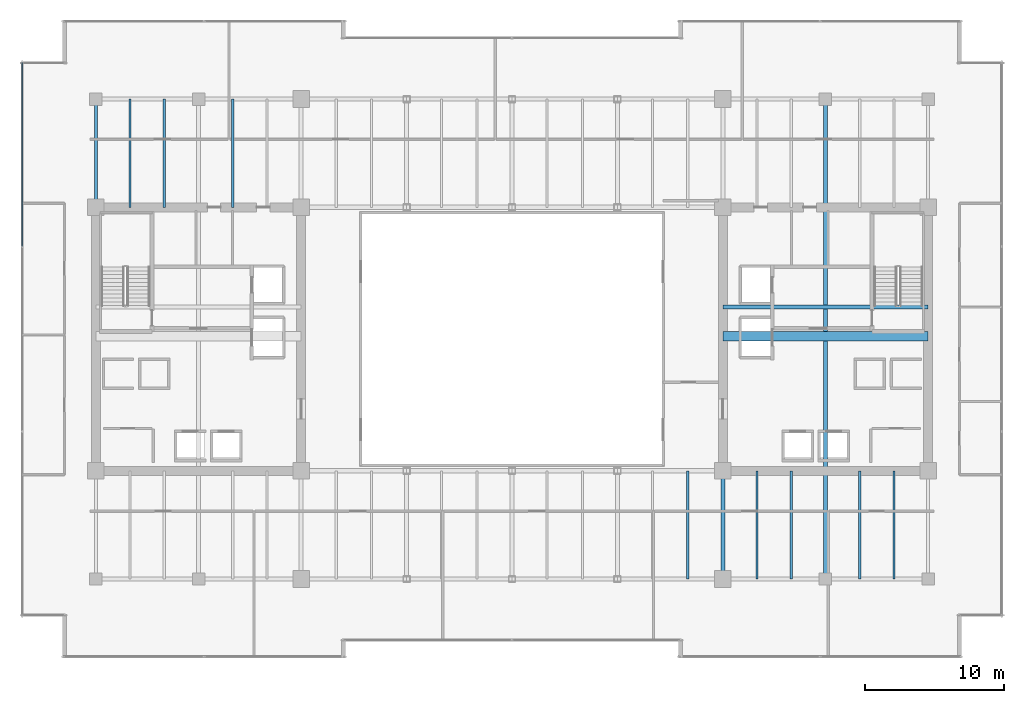
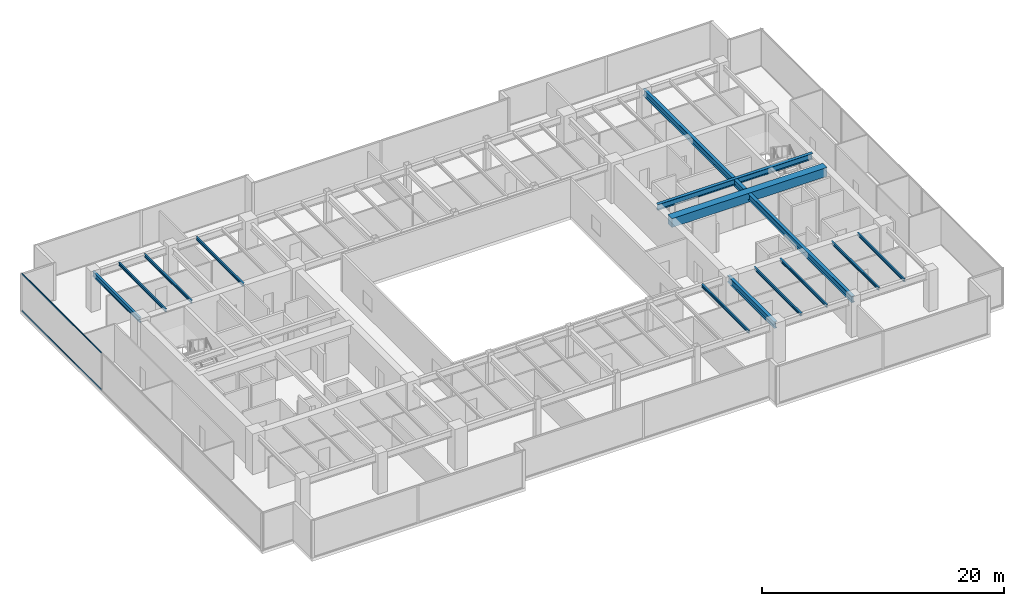
# One storey, part 13 of 30: 13 beams, 2 members, 1 element without a shape of its own.
"""IFC4 building model written with IfcOpenShell, lengths in metres."""

from ifc_helpers import new_model, si_unit, direction, frame, origin, origin_2d, place, context, subcontext, project, spatial, rectangle, hollow_rectangle, i_section, extrude, source, transform, mapped, material, layer, layer_set, material_profile, profile_set, type_object, type_shapes, element, aggregate, save


model = new_model("IFC4")

# Units and contexts
model_context = context("Model", 3, precision=1e-05, world=origin(), true_north=direction((0.0, 1.0)))
body_context = subcontext(model_context, "Body", "Model", "MODEL_VIEW")
ifc_project = project(units=[si_unit("LENGTHUNIT", "METRE"), si_unit("AREAUNIT", "SQUARE_METRE"), si_unit("VOLUMEUNIT", "CUBIC_METRE"), si_unit("PLANEANGLEUNIT", "RADIAN"), si_unit("MASSUNIT", "GRAM", prefix="KILO")], contexts=[model_context])

# Site, building, storey
site_placement = place(None, origin())
site = spatial("IfcSite", under=ifc_project, at=site_placement, CompositionType="ELEMENT")
building_placement = place(site_placement, origin())
building = spatial("IfcBuilding", under=site, at=building_placement, Name="Haelvirn Gate Laboratories", CompositionType="ELEMENT")
storey_placement = place(building_placement, frame((0.0, 0.0, 142.0)))
storey = spatial("IfcBuildingStorey", under=building, at=storey_placement, Name="L34", CompositionType="ELEMENT", Elevation=142.0)

# Beams
ifc_material_1 = material(Name="Concrete C60/75", Category="concrete")
ifc_material_profile_1 = material_profile(ifc_material_1, rectangle(XDim=0.699951171875, YDim=0.89990234375, at=origin_2d()), Name="RCB-700x900")
ifc_profile_set_1 = profile_set([ifc_material_profile_1], Name="Concrete C60/75")
beam_type_1 = type_object("IfcBeamType", Name="BM-RCB-900", PredefinedType="LINTEL", material=ifc_profile_set_1)
shared_shape_1 = source(origin(), body_context, "Body", "SweptSolid", [
    extrude(rectangle(XDim=0.699951171875, YDim=0.89990234375, at=origin_2d()), origin(), (0.0, 0.0, 1.0), 14.7998046875),
])
type_shapes(beam_type_1, [shared_shape_1])
beam_1_placement = place(storey_placement, frame((52.60009765625, 24.5, 3.340087890625), z_axis=(1.0, 0.0, 0.0), x_axis=(0.0, 1.0, 0.0)))
element("IfcBeam", 1, at=beam_1_placement, inside=storey, type_object=beam_type_1, Name="L34 East Core Coupling Beam", PredefinedType="LINTEL", context=body_context, shape_type="MappedRepresentation", body=[
    mapped(shared_shape_1, transform((0.0, 0.0, 0.0), scale=1.0)),
])
ifc_material_2 = material(Name="Steel SM355", Category="steel")
ifc_material_profile_2 = material_profile(ifc_material_2, i_section(OverallWidth=0.300048828125, OverallDepth=0.587890625, WebThickness=0.011962890625, FlangeThickness=0.02001953125, at=origin_2d()), Name="H-588x300x12x20")
ifc_profile_set_2 = profile_set([ifc_material_profile_2], Name="Steel SM355")
beam_type_2 = type_object("IfcBeamType", Name="BM-G-588", PredefinedType="BEAM", material=ifc_profile_set_2)
shared_shape_2 = source(origin(), body_context, "Body", "SweptSolid", [
    extrude(i_section(OverallWidth=0.300048828125, OverallDepth=0.587890625, WebThickness=0.011962890625, FlangeThickness=0.02001953125, at=origin_2d()), origin(), (0.0, 0.0, 1.0), 14.7998046875),
])
type_shapes(beam_type_2, [shared_shape_2])
beam_2_placement = place(storey_placement, frame((52.60009765625, 26.6201171875, 3.49609375), z_axis=(1.0, 0.0, 0.0), x_axis=(0.0, 1.0, 0.0)))
element("IfcBeam", 2, at=beam_2_placement, inside=storey, type_object=beam_type_2, Name="L34 Stair ST2 Landing Header", PredefinedType="BEAM", context=body_context, shape_type="MappedRepresentation", body=[
    mapped(shared_shape_2, transform((0.0, 0.0, 0.0), scale=1.0)),
])
ifc_material_profile_3 = material_profile(ifc_material_2, i_section(OverallWidth=0.199951171875, OverallDepth=0.5, WebThickness=0.010009765625, FlangeThickness=0.01611328125, at=origin_2d()), Name="H-500x200x10x16")
ifc_profile_set_3 = profile_set([ifc_material_profile_3], Name="Steel SM355")
beam_type_3 = type_object("IfcBeamType", Name="BM-SP-500", PredefinedType="SPANDREL", material=ifc_profile_set_3)
shared_shape_3 = source(origin(), body_context, "Body", "SweptSolid", [
    extrude(i_section(OverallWidth=0.199951171875, OverallDepth=0.5, WebThickness=0.010009765625, FlangeThickness=0.01611328125, at=origin_2d()), origin(), (0.0, 0.0, 1.0), 7.800048828125),
])
type_shapes(beam_type_3, [shared_shape_3])
beam_3_placement = place(storey_placement, frame((7.39990234375, 33.800048828125, 3.5400390625), z_axis=(0.0, 1.0, 0.0), x_axis=(-1.0, 0.0, 0.0)))
element("IfcBeam", 3, at=beam_3_placement, inside=storey, type_object=beam_type_3, Name="L34 Perimeter Spandrel X7.4 (33.8-41.6)", PredefinedType="SPANDREL", context=body_context, shape_type="MappedRepresentation", body=[
    mapped(shared_shape_3, transform((0.0, 0.0, 0.0), scale=1.0)),
])
ifc_material_profile_4 = material_profile(ifc_material_2, i_section(OverallWidth=0.300048828125, OverallDepth=0.64990234375, WebThickness=0.012939453125, FlangeThickness=0.02197265625, at=origin_2d()), Name="H-650x300x13x22")
ifc_profile_set_4 = profile_set([ifc_material_profile_4], Name="Steel SM355")
beam_type_4 = type_object("IfcBeamType", Name="BM-G-650", PredefinedType="BEAM", material=ifc_profile_set_4)
shared_shape_4 = source(origin(), body_context, "Body", "SweptSolid", [
    extrude(i_section(OverallWidth=0.300048828125, OverallDepth=0.64990234375, WebThickness=0.012939453125, FlangeThickness=0.02197265625, at=origin_2d()), origin(), (0.0, 0.0, 1.0), 34.60009765625),
])
beam_4_placement = place(storey_placement, frame((60.0, 7.0, 3.465087890625), z_axis=(0.0, 1.0, 0.0), x_axis=(-1.0, 0.0, 0.0)))
element("IfcBeam", 4, at=beam_4_placement, inside=storey, type_object=beam_type_4, Name="L34 Frame Girder X60.0 (7.0-41.6)", PredefinedType="BEAM", context=body_context, shape_type="MappedRepresentation", body=[
    mapped(shared_shape_4, transform((0.0, 0.0, 0.0), scale=1.0)),
])
shared_shape_5 = source(origin(), body_context, "Body", "SweptSolid", [
    extrude(i_section(OverallWidth=0.300048828125, OverallDepth=0.64990234375, WebThickness=0.012939453125, FlangeThickness=0.02197265625, at=origin_2d()), origin(), (0.0, 0.0, 1.0), 7.800048828125),
])
type_shapes(beam_type_4, [shared_shape_4, shared_shape_5])
beam_5_placement = place(storey_placement, frame((52.60009765625, 7.0, 3.465087890625), z_axis=(0.0, 1.0, 0.0), x_axis=(-1.0, 0.0, 0.0)))
element("IfcBeam", 5, at=beam_5_placement, inside=storey, type_object=beam_type_4, Name="L34 Frame Girder X52.6 (7.0-14.8)", PredefinedType="BEAM", context=body_context, shape_type="MappedRepresentation", body=[
    mapped(shared_shape_5, transform((0.0, 0.0, 0.0), scale=1.0)),
])
ifc_material_profile_5 = material_profile(ifc_material_2, i_section(OverallWidth=0.14990234375, OverallDepth=0.300048828125, WebThickness=0.006591796875, FlangeThickness=0.009033203125, at=origin_2d()), Name="H-300x150x6.5x9")
ifc_profile_set_5 = profile_set([ifc_material_profile_5], Name="Steel SM355")
beam_type_5 = type_object("IfcBeamType", Name="BM-J-300", PredefinedType="JOIST", material=ifc_profile_set_5)
shared_shape_6 = source(origin(), body_context, "Body", "SweptSolid", [
    extrude(i_section(OverallWidth=0.14990234375, OverallDepth=0.300048828125, WebThickness=0.006591796875, FlangeThickness=0.009033203125, at=origin_2d()), origin(), (0.0, 0.0, 1.0), 7.800048828125),
])
type_shapes(beam_type_5, [shared_shape_6])
for number, where, z_axis, x_axis, name in (
    (6, (9.8701171875, 33.800048828125, 3.639892578125), (0.0, 1.0, 0.0), (-1.0, 0.0, 0.0), "L34 Composite Lab Joist North X9.87"),
    (7, (12.330078125, 33.800048828125, 3.639892578125), (0.0, 1.0, 0.0), (-1.0, 0.0, 0.0), "L34 Composite Lab Joist North X12.33"),
    (8, (17.27001953125, 33.800048828125, 3.639892578125), (0.0, 1.0, 0.0), (-1.0, 0.0, 0.0), "L34 Composite Lab Joist North X17.27"),
    (9, (50.070068359375, 7.0, 3.639892578125), (0.0, 1.0, 0.0), (-1.0, 0.0, 0.0), "L34 Composite Lab Joist South X50.07"),
    (10, (55.070068359375, 7.0, 3.639892578125), (0.0, 1.0, 0.0), (-1.0, 0.0, 0.0), "L34 Composite Lab Joist South X55.07"),
    (11, (57.530029296875, 7.0, 3.639892578125), (0.0, 1.0, 0.0), (-1.0, 0.0, 0.0), "L34 Composite Lab Joist South X57.53"),
    (12, (62.469970703125, 7.0, 3.639892578125), (0.0, 1.0, 0.0), (-1.0, 0.0, 0.0), "L34 Composite Lab Joist South X62.47"),
    (13, (64.929931640625, 7.0, 3.639892578125), (0.0, 1.0, 0.0), (-1.0, 0.0, 0.0), "L34 Composite Lab Joist South X64.93"),
):
    element("IfcBeam", number, at=place(storey_placement, frame(where, z_axis=z_axis, x_axis=x_axis)), inside=storey, type_object=beam_type_5, Name=name, PredefinedType="JOIST", context=body_context, shape_type="MappedRepresentation", body=[
        mapped(shared_shape_6, transform((0.0, 0.0, 0.0), scale=1.0)),
    ])

# Curtain wall, members
ifc_material_3 = material(Name="Anodised bronze unitised aluminium & triple low-E glass", Category="aluminium")
ifc_layer = layer(ifc_material_3, 0.179931640625, Name="CW-SYS-3")
ifc_layer_set = layer_set([ifc_layer], Name="Anodised bronze unitised aluminium & triple low-E glass")
curtain_wall_type = type_object("IfcCurtainWallType", Name="CW-SYS-3", PredefinedType="NOTDEFINED", material=ifc_layer_set)
curtain_wall_placement = place(storey_placement, origin())
curtain_wall = element("IfcCurtainWall", 14, at=curtain_wall_placement, inside=storey, type_object=curtain_wall_type, Name="L34 Unitised Curtain Wall CW-L34-P0-E17", PredefinedType="NOTDEFINED")
ifc_material_4 = material(Name="Extruded aluminium 6063-T6 (anodised bronze)", Category="aluminium")
ifc_material_profile_6 = material_profile(ifc_material_4, hollow_rectangle(XDim=0.06494140625, YDim=0.139892578125, WallThickness=0.00390625, at=origin_2d()), Name="CWT-140x65x4")
ifc_profile_set_6 = profile_set([ifc_material_profile_6], Name="Extruded aluminium 6063-T6 (anodised bronze)")
member_type = type_object("IfcMemberType", Name="CWT-T140", PredefinedType="USERDEFINED", material=ifc_profile_set_6)
shared_shape_7 = source(origin(), body_context, "Body", "SweptSolid", [
    extrude(hollow_rectangle(XDim=0.06494140625, YDim=0.139892578125, WallThickness=0.00390625, at=origin_2d()), origin(), (0.0, 0.0, 1.0), 13.220947265625),
])
type_shapes(member_type, [shared_shape_7])
member_1_placement = place(storey_placement, frame((2.10009765625, 44.22509765625, 0.032470703125), z_axis=(0.0, -1.0, 0.0), x_axis=(1.0, 0.0, 0.0)))
member_1 = element("IfcMember", 15, at=member_1_placement, type_object=member_type, Name="CW3 transom 1.1", ObjectType="TRANSOM", PredefinedType="USERDEFINED", context=body_context, shape_type="MappedRepresentation", body=[
    mapped(shared_shape_7, transform((0.0, 0.0, 0.0), scale=1.0)),
])
member_2_placement = place(storey_placement, frame((2.10009765625, 44.22509765625, 3.757568359375), z_axis=(0.0, -1.0, 0.0), x_axis=(1.0, 0.0, 0.0)))
member_2 = element("IfcMember", 16, at=member_2_placement, type_object=member_type, Name="CW3 transom 1.2", ObjectType="TRANSOM", PredefinedType="USERDEFINED", context=body_context, shape_type="MappedRepresentation", body=[
    mapped(shared_shape_7, transform((0.0, 0.0, 0.0), scale=1.0)),
])
aggregate(curtain_wall, [member_1, member_2])

save(model, "model.ifc")
